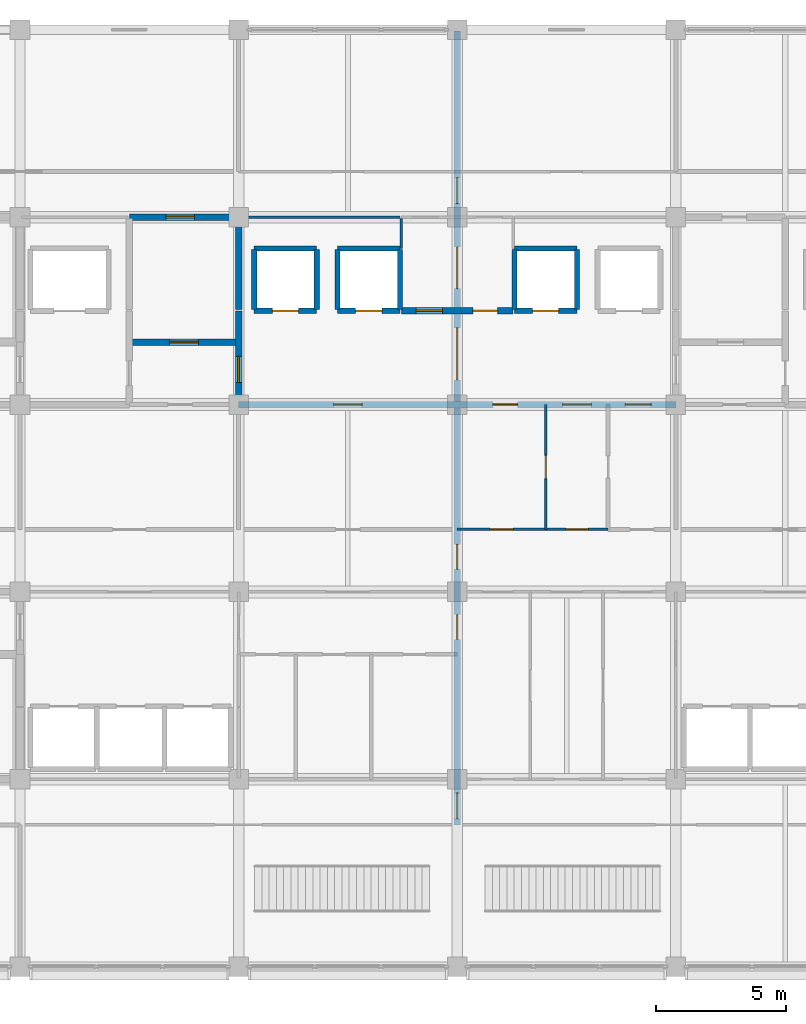
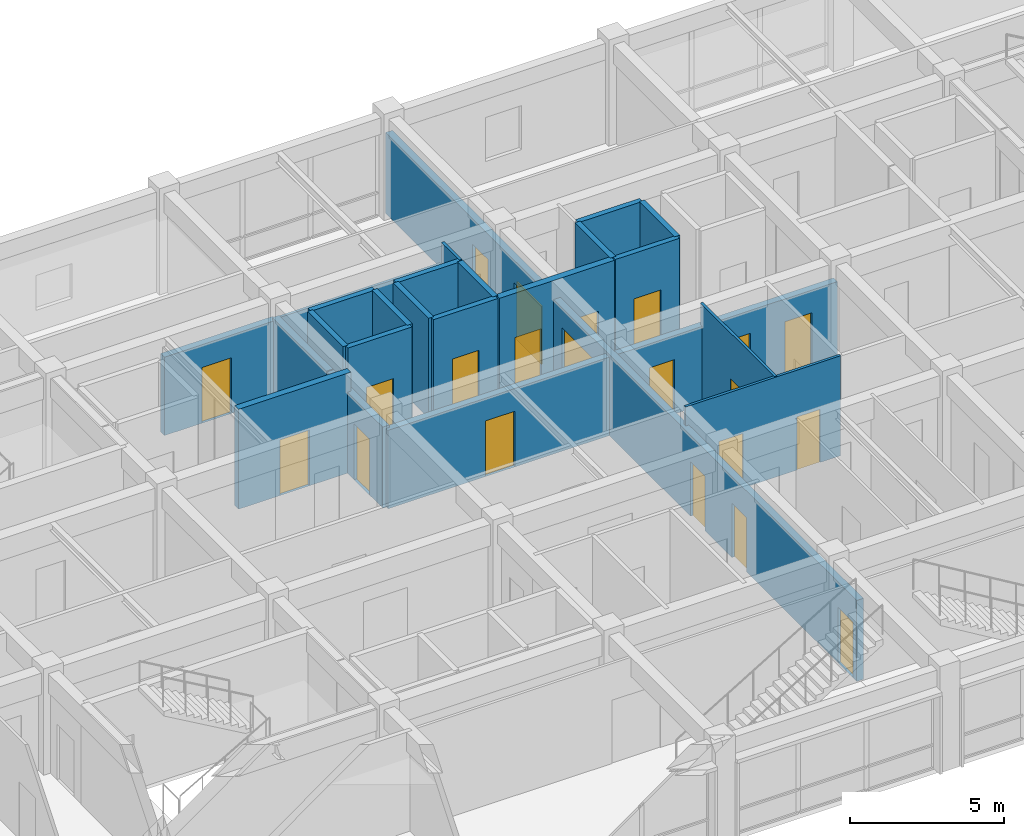
# One storey, part 18 of 27: 23 walls, 21 doors, 21 openings.
"""IFC4 building model written with IfcOpenShell, lengths in metres."""

from ifc_helpers import new_model, si_unit, direction, frame, frame_2d, origin, place, context, subcontext, project, spatial, rectangle, extrude, material, layer, layer_set, type_object, element, fill, save


model = new_model("IFC4")

# Units and contexts
model_context = context("Model", 3, precision=1e-05, world=origin(), true_north=direction((0.0, 1.0)))
body_context = subcontext(model_context, "Body", "Model", "MODEL_VIEW")
ifc_project = project(units=[si_unit("LENGTHUNIT", "METRE"), si_unit("AREAUNIT", "SQUARE_METRE"), si_unit("VOLUMEUNIT", "CUBIC_METRE"), si_unit("PLANEANGLEUNIT", "RADIAN"), si_unit("MASSUNIT", "GRAM", prefix="KILO")], contexts=[model_context])

# Site, building, storey
site_placement = place(None, origin())
site = spatial("IfcSite", under=ifc_project, at=site_placement, CompositionType="ELEMENT")
building_placement = place(site_placement, origin())
building = spatial("IfcBuilding", under=site, at=building_placement, Name="Chengyuan Square Courthouse", CompositionType="ELEMENT")
storey_placement = place(building_placement, frame((0.0, 0.0, 35.10009765625)))
storey = spatial("IfcBuildingStorey", under=building, at=storey_placement, Name="L08", CompositionType="ELEMENT", Elevation=35.10009765625)

# Wall, openings, doors
ifc_material_1 = material(Name="Concrete C40", Category="concrete")
ifc_layer_1 = layer(ifc_material_1, 0.25)
ifc_layer_set_1 = layer_set([ifc_layer_1], Name="Concrete C40")
wall_type_1 = type_object("IfcWallType", Name="WL-FW1", PredefinedType="STANDARD", material=ifc_layer_set_1)
wall_1_placement = place(storey_placement, frame((75.60009765625, 100.800048828125, 0.0), z_axis=(0.0, 0.0, 1.0), x_axis=(1.0, 0.0, 0.0)))
wall_1 = element("IfcWall", 1, at=wall_1_placement, inside=storey, type_object=wall_type_1, Name="Interior Wall WL-L08-I2922", PredefinedType="STANDARD", context=body_context, shape_type="SweptSolid", body=[
    extrude(rectangle(XDim=16.7998046875, YDim=0.25, at=frame_2d((8.39990234375, 0.0))), origin(), (0.0, 0.0, 1.0), 3.099853515625),
])
opening_1_placement = place(wall_1_placement, frame((3.64990234375, 0.0, 0.0)))
opening_1 = element("IfcOpeningElement", 2, at=opening_1_placement, cuts=wall_1, Name="Opening DR-2536", PredefinedType="OPENING", context=body_context, shape_type="SweptSolid", body=[
    extrude(rectangle(XDim=1.10009765625, YDim=2.199951171875, at=frame_2d((0.550048828125, 1.10009765625))), frame((0.0, 0.136962890625, 0.0), z_axis=(0.0, -1.0, 0.0), x_axis=(1.0, 0.0, 0.0)), (0.0, 0.0, 1.0), 0.27392578125),
])
opening_2_placement = place(wall_1_placement, frame((9.7724609375, 0.0, 0.0)))
opening_2 = element("IfcOpeningElement", 3, at=opening_2_placement, cuts=wall_1, Name="Opening DR-2538", PredefinedType="OPENING", context=body_context, shape_type="SweptSolid", body=[
    extrude(rectangle(XDim=0.949951171875, YDim=2.14990234375, at=frame_2d((0.47509765625, 1.074951171875))), frame((0.0, 0.136962890625, 0.0), z_axis=(0.0, -1.0, 0.0), x_axis=(1.0, 0.0, 0.0)), (0.0, 0.0, 1.0), 0.27392578125),
])
opening_3_placement = place(wall_1_placement, frame((12.449951171875, 0.0, 0.0)))
opening_3 = element("IfcOpeningElement", 4, at=opening_3_placement, cuts=wall_1, Name="Opening DR-2539", PredefinedType="OPENING", context=body_context, shape_type="SweptSolid", body=[
    extrude(rectangle(XDim=1.10009765625, YDim=2.199951171875, at=frame_2d((0.550048828125, 1.10009765625))), frame((0.0, 0.136962890625, 0.0), z_axis=(0.0, -1.0, 0.0), x_axis=(1.0, 0.0, 0.0)), (0.0, 0.0, 1.0), 0.27392578125),
])
opening_4_placement = place(wall_1_placement, frame((14.8525390625, 0.0, 0.0)))
opening_4 = element("IfcOpeningElement", 5, at=opening_4_placement, cuts=wall_1, Name="Opening DR-2540", PredefinedType="OPENING", context=body_context, shape_type="SweptSolid", body=[
    extrude(rectangle(XDim=1.0, YDim=2.199951171875, at=frame_2d((0.5, 1.10009765625))), frame((0.0, 0.136962890625, 0.0), z_axis=(0.0, -1.0, 0.0), x_axis=(1.0, 0.0, 0.0)), (0.0, 0.0, 1.0), 0.27392578125),
])
ifc_material_2 = material(Name="Steel Q235B Fire Door", Category="steel")
door_type_1 = type_object("IfcDoorType", Name="DT-10", OperationType="NOTDEFINED", PredefinedType="DOOR", material=ifc_material_2)
door_1_placement = place(opening_1_placement, origin())
door_1 = element("IfcDoor", 6, at=door_1_placement, inside=storey, type_object=door_type_1, Name="Interior Door DR-2536", OperationType="SINGLE_SWING_LEFT", OverallHeight=2.199951171875, OverallWidth=1.10009765625, PredefinedType="DOOR", context=body_context, shape_type="SweptSolid", body=[
    extrude(rectangle(XDim=1.10009765625, YDim=2.199951171875, at=frame_2d((0.550048828125, 1.10009765625))), frame((0.0, 0.02490234375, 0.0), z_axis=(0.0, -1.0, 0.0), x_axis=(1.0, 0.0, 0.0)), (0.0, 0.0, 1.0), 0.050048828125),
])
fill(opening_1, door_1)
door_2_placement = place(opening_3_placement, origin())
door_2 = element("IfcDoor", 7, at=door_2_placement, inside=storey, type_object=door_type_1, Name="Interior Door DR-2539", OperationType="SINGLE_SWING_RIGHT", OverallHeight=2.199951171875, OverallWidth=1.10009765625, PredefinedType="DOOR", context=body_context, shape_type="SweptSolid", body=[
    extrude(rectangle(XDim=1.10009765625, YDim=2.199951171875, at=frame_2d((0.550048828125, 1.10009765625))), frame((0.0, 0.02490234375, 0.0), z_axis=(0.0, -1.0, 0.0), x_axis=(1.0, 0.0, 0.0)), (0.0, 0.0, 1.0), 0.050048828125),
])
fill(opening_3, door_2)
door_type_2 = type_object("IfcDoorType", Name="DT-11", OperationType="NOTDEFINED", PredefinedType="DOOR", material=ifc_material_2)
door_3_placement = place(opening_4_placement, origin())
door_3 = element("IfcDoor", 8, at=door_3_placement, inside=storey, type_object=door_type_2, Name="Interior Door DR-2540", OperationType="SINGLE_SWING_LEFT", OverallHeight=2.199951171875, OverallWidth=1.0, PredefinedType="DOOR", context=body_context, shape_type="SweptSolid", body=[
    extrude(rectangle(XDim=1.0, YDim=2.199951171875, at=frame_2d((0.5, 1.10009765625))), frame((0.0, 0.02490234375, 0.0), z_axis=(0.0, -1.0, 0.0), x_axis=(1.0, 0.0, 0.0)), (0.0, 0.0, 1.0), 0.050048828125),
])
fill(opening_4, door_3)
door_type_3 = type_object("IfcDoorType", Name="DT-12", OperationType="NOTDEFINED", PredefinedType="DOOR", material=ifc_material_2)
door_4_placement = place(opening_2_placement, origin())
door_4 = element("IfcDoor", 9, at=door_4_placement, inside=storey, type_object=door_type_3, Name="Interior Door DR-2538", OperationType="SINGLE_SWING_LEFT", OverallHeight=2.14990234375, OverallWidth=0.949951171875, PredefinedType="DOOR", context=body_context, shape_type="SweptSolid", body=[
    extrude(rectangle(XDim=0.949951171875, YDim=2.14990234375, at=frame_2d((0.47509765625, 1.074951171875))), frame((0.0, 0.02490234375, 0.0), z_axis=(0.0, -1.0, 0.0), x_axis=(1.0, 0.0, 0.0)), (0.0, 0.0, 1.0), 0.050048828125),
])
fill(opening_2, door_4)

# Wall, opening, door
wall_2_placement = place(storey_placement, frame((71.39990234375, 103.199951171875, 0.0), z_axis=(0.0, 0.0, 1.0), x_axis=(1.0, 0.0, 0.0)))
wall_2 = element("IfcWall", 10, at=wall_2_placement, inside=storey, type_object=wall_type_1, Name="Interior Wall WL-L08-I2932", PredefinedType="STANDARD", context=body_context, shape_type="SweptSolid", body=[
    extrude(rectangle(XDim=4.2001953125, YDim=0.25, at=frame_2d((2.10009765625, 0.0))), origin(), (0.0, 0.0, 1.0), 3.949951171875),
])
opening_5_placement = place(wall_2_placement, frame((1.550048828125, 0.0, 0.0)))
opening_5 = element("IfcOpeningElement", 11, at=opening_5_placement, cuts=wall_2, Name="Opening DR-2518", PredefinedType="OPENING", context=body_context, shape_type="SweptSolid", body=[
    extrude(rectangle(XDim=1.10009765625, YDim=2.199951171875, at=frame_2d((0.550048828125, 1.10009765625))), frame((0.0, 0.136962890625, 0.0), z_axis=(0.0, -1.0, 0.0), x_axis=(1.0, 0.0, 0.0)), (0.0, 0.0, 1.0), 0.27392578125),
])
door_5_placement = place(opening_5_placement, origin())
door_5 = element("IfcDoor", 12, at=door_5_placement, inside=storey, type_object=door_type_1, Name="Interior Door DR-2518", OperationType="SINGLE_SWING_RIGHT", OverallHeight=2.199951171875, OverallWidth=1.10009765625, PredefinedType="DOOR", context=body_context, shape_type="SweptSolid", body=[
    extrude(rectangle(XDim=1.10009765625, YDim=2.199951171875, at=frame_2d((0.550048828125, 1.10009765625))), frame((0.0, 0.02490234375, 0.0), z_axis=(0.0, -1.0, 0.0), x_axis=(1.0, 0.0, 0.0)), (0.0, 0.0, 1.0), 0.050048828125),
])
fill(opening_5, door_5)

# Wall, openings, doors
wall_3_placement = place(storey_placement, frame((81.85009765625, 104.39990234375, 0.0), z_axis=(0.0, 0.0, 1.0), x_axis=(1.0, 0.0, 0.0)))
wall_3 = element("IfcWall", 13, at=wall_3_placement, inside=storey, type_object=wall_type_1, Name="Interior Wall WL-L08-I2943", PredefinedType="STANDARD", context=body_context, shape_type="SweptSolid", body=[
    extrude(rectangle(XDim=4.2998046875, YDim=0.25, at=frame_2d((2.14990234375, 0.0))), origin(), (0.0, 0.0, 1.0), 3.949951171875),
])
opening_6_placement = place(wall_3_placement, frame((0.574951171875, 0.0, 0.0)))
opening_6 = element("IfcOpeningElement", 14, at=opening_6_placement, cuts=wall_3, Name="Opening DR-2537", PredefinedType="OPENING", context=body_context, shape_type="SweptSolid", body=[
    extrude(rectangle(XDim=1.0, YDim=2.199951171875, at=frame_2d((0.5, 1.10009765625))), frame((0.0, 0.136962890625, 0.0), z_axis=(0.0, -1.0, 0.0), x_axis=(1.0, 0.0, 0.0)), (0.0, 0.0, 1.0), 0.27392578125),
])
opening_7_placement = place(wall_3_placement, frame((2.75, 0.0, 0.0)))
opening_7 = element("IfcOpeningElement", 15, at=opening_7_placement, cuts=wall_3, Name="Opening DR-2541", PredefinedType="OPENING", context=body_context, shape_type="SweptSolid", body=[
    extrude(rectangle(XDim=0.949951171875, YDim=2.14990234375, at=frame_2d((0.47509765625, 1.074951171875))), frame((0.0, 0.136962890625, 0.0), z_axis=(0.0, -1.0, 0.0), x_axis=(1.0, 0.0, 0.0)), (0.0, 0.0, 1.0), 0.27392578125),
])
door_6_placement = place(opening_6_placement, origin())
door_6 = element("IfcDoor", 16, at=door_6_placement, inside=storey, type_object=door_type_2, Name="Interior Door DR-2537", OperationType="SINGLE_SWING_RIGHT", OverallHeight=2.199951171875, OverallWidth=1.0, PredefinedType="DOOR", context=body_context, shape_type="SweptSolid", body=[
    extrude(rectangle(XDim=1.0, YDim=2.199951171875, at=frame_2d((0.5, 1.10009765625))), frame((0.0, 0.02490234375, 0.0), z_axis=(0.0, -1.0, 0.0), x_axis=(1.0, 0.0, 0.0)), (0.0, 0.0, 1.0), 0.050048828125),
])
fill(opening_6, door_6)
door_7_placement = place(opening_7_placement, origin())
door_7 = element("IfcDoor", 17, at=door_7_placement, inside=storey, type_object=door_type_3, Name="Interior Door DR-2541", OperationType="SINGLE_SWING_RIGHT", OverallHeight=2.14990234375, OverallWidth=0.949951171875, PredefinedType="DOOR", context=body_context, shape_type="SweptSolid", body=[
    extrude(rectangle(XDim=0.949951171875, YDim=2.14990234375, at=frame_2d((0.47509765625, 1.074951171875))), frame((0.0, 0.02490234375, 0.0), z_axis=(0.0, -1.0, 0.0), x_axis=(1.0, 0.0, 0.0)), (0.0, 0.0, 1.0), 0.050048828125),
])
fill(opening_7, door_7)

# Wall, opening, door
wall_4_placement = place(storey_placement, frame((71.39990234375, 108.0, 0.0), z_axis=(0.0, 0.0, 1.0), x_axis=(1.0, 0.0, 0.0)))
wall_4 = element("IfcWall", 18, at=wall_4_placement, inside=storey, type_object=wall_type_1, Name="Interior Wall WL-L08-I2964", PredefinedType="STANDARD", context=body_context, shape_type="SweptSolid", body=[
    extrude(rectangle(XDim=4.2001953125, YDim=0.25, at=frame_2d((2.10009765625, 0.0))), origin(), (0.0, 0.0, 1.0), 3.099853515625),
])
opening_8_placement = place(wall_4_placement, frame((1.402587890625, 0.0, 0.0)))
opening_8 = element("IfcOpeningElement", 19, at=opening_8_placement, cuts=wall_4, Name="Opening DR-2521", PredefinedType="OPENING", context=body_context, shape_type="SweptSolid", body=[
    extrude(rectangle(XDim=1.10009765625, YDim=2.199951171875, at=frame_2d((0.550048828125, 1.10009765625))), frame((0.0, 0.136962890625, 0.0), z_axis=(0.0, -1.0, 0.0), x_axis=(1.0, 0.0, 0.0)), (0.0, 0.0, 1.0), 0.27392578125),
])
door_8_placement = place(opening_8_placement, origin())
door_8 = element("IfcDoor", 20, at=door_8_placement, inside=storey, type_object=door_type_1, Name="Interior Door DR-2521", OperationType="SINGLE_SWING_LEFT", OverallHeight=2.199951171875, OverallWidth=1.10009765625, PredefinedType="DOOR", context=body_context, shape_type="SweptSolid", body=[
    extrude(rectangle(XDim=1.10009765625, YDim=2.199951171875, at=frame_2d((0.550048828125, 1.10009765625))), frame((0.0, 0.02490234375, 0.0), z_axis=(0.0, -1.0, 0.0), x_axis=(1.0, 0.0, 0.0)), (0.0, 0.0, 1.0), 0.050048828125),
])
fill(opening_8, door_8)

wall_5_placement = place(storey_placement, frame((75.60009765625, 100.800048828125, 0.0), z_axis=(0.0, 0.0, 1.0), x_axis=(0.0, 1.0, 0.0)))
wall_5 = element("IfcWall", 21, at=wall_5_placement, inside=storey, type_object=wall_type_1, Name="Interior Wall WL-L08-I3020", PredefinedType="STANDARD", context=body_context, shape_type="SweptSolid", body=[
    extrude(rectangle(XDim=3.599853515625, YDim=0.25, at=frame_2d((1.7998046875, 0.0))), origin(), (0.0, 0.0, 1.0), 3.199951171875),
])
opening_9_placement = place(wall_5_placement, frame((0.847412109375, 0.0, 0.0)))
opening_9 = element("IfcOpeningElement", 22, at=opening_9_placement, cuts=wall_5, Name="Opening DR-2519", PredefinedType="OPENING", context=body_context, shape_type="SweptSolid", body=[
    extrude(rectangle(XDim=1.0, YDim=2.199951171875, at=frame_2d((0.5, 1.10009765625))), frame((0.0, 0.136962890625, 0.0), z_axis=(0.0, -1.0, 0.0), x_axis=(1.0, 0.0, 0.0)), (0.0, 0.0, 1.0), 0.27392578125),
])
door_9_placement = place(opening_9_placement, origin())
door_9 = element("IfcDoor", 23, at=door_9_placement, inside=storey, type_object=door_type_2, Name="Interior Door DR-2519", OperationType="SINGLE_SWING_LEFT", OverallHeight=2.199951171875, OverallWidth=1.0, PredefinedType="DOOR", context=body_context, shape_type="SweptSolid", body=[
    extrude(rectangle(XDim=1.0, YDim=2.199951171875, at=frame_2d((0.5, 1.10009765625))), frame((0.0, 0.02490234375, 0.0), z_axis=(0.0, -1.0, 0.0), x_axis=(1.0, 0.0, 0.0)), (0.0, 0.0, 1.0), 0.050048828125),
])
fill(opening_9, door_9)

# Wall
wall_6_placement = place(storey_placement, frame((75.60009765625, 104.449951171875, 0.0), z_axis=(0.0, 0.0, 1.0), x_axis=(0.0, 1.0, 0.0)))
element("IfcWall", 24, at=wall_6_placement, inside=storey, type_object=wall_type_1, Name="Interior Wall WL-L08-I3021", PredefinedType="STANDARD", context=body_context, shape_type="SweptSolid", body=[
    extrude(rectangle(XDim=3.5, YDim=0.25, at=frame_2d((1.75, 0.0))), origin(), (0.0, 0.0, 1.0), 3.199951171875),
])

# Wall, openings, doors
wall_7_placement = place(storey_placement, frame((84.0, 84.64990234375, 0.0), z_axis=(0.0, 0.0, 1.0), x_axis=(0.0, 1.0, 0.0)))
wall_7 = element("IfcWall", 25, at=wall_7_placement, inside=storey, type_object=wall_type_1, Name="Interior Wall WL-L08-I3030", PredefinedType="STANDARD", context=body_context, shape_type="SweptSolid", body=[
    extrude(rectangle(XDim=30.510009765625, YDim=0.25, at=frame_2d((15.2548828125, 0.0))), origin(), (0.0, 0.0, 1.0), 3.199951171875),
])
opening_10_placement = place(wall_7_placement, frame((17.097412109375, 0.0, 0.0)))
opening_10 = element("IfcOpeningElement", 26, at=opening_10_placement, cuts=wall_7, Name="Opening DR-2535", PredefinedType="OPENING", context=body_context, shape_type="SweptSolid", body=[
    extrude(rectangle(XDim=2.0, YDim=2.39990234375, at=frame_2d((1.0, 1.199951171875))), frame((0.0, 0.136962890625, 0.0), z_axis=(0.0, -1.0, 0.0), x_axis=(1.0, 0.0, 0.0)), (0.0, 0.0, 1.0), 0.27392578125),
])
opening_11_placement = place(wall_7_placement, frame((7.12744140625, 0.0, 0.0)))
opening_11 = element("IfcOpeningElement", 27, at=opening_11_placement, cuts=wall_7, Name="Opening DR-2562", PredefinedType="OPENING", context=body_context, shape_type="SweptSolid", body=[
    extrude(rectangle(XDim=0.949951171875, YDim=2.14990234375, at=frame_2d((0.47509765625, 1.074951171875))), frame((0.0, 0.136962890625, 0.0), z_axis=(0.0, -1.0, 0.0), x_axis=(1.0, 0.0, 0.0)), (0.0, 0.0, 1.0), 0.27392578125),
])
opening_12_placement = place(wall_7_placement, frame((9.822509765625, 0.0, 0.0)))
opening_12 = element("IfcOpeningElement", 28, at=opening_12_placement, cuts=wall_7, Name="Opening DR-2565", PredefinedType="OPENING", context=body_context, shape_type="SweptSolid", body=[
    extrude(rectangle(XDim=0.949951171875, YDim=2.14990234375, at=frame_2d((0.47509765625, 1.074951171875))), frame((0.0, 0.136962890625, 0.0), z_axis=(0.0, -1.0, 0.0), x_axis=(1.0, 0.0, 0.0)), (0.0, 0.0, 1.0), 0.27392578125),
])
opening_13_placement = place(wall_7_placement, frame((20.6025390625, 0.0, 0.0)))
opening_13 = element("IfcOpeningElement", 29, at=opening_13_placement, cuts=wall_7, Name="Opening DR-2612", PredefinedType="OPENING", context=body_context, shape_type="SweptSolid", body=[
    extrude(rectangle(XDim=1.60009765625, YDim=2.300048828125, at=frame_2d((0.800048828125, 1.14990234375))), frame((0.0, 0.136962890625, 0.0), z_axis=(0.0, -1.0, 0.0), x_axis=(1.0, 0.0, 0.0)), (0.0, 0.0, 1.0), 0.27392578125),
])
opening_14_placement = place(wall_7_placement, frame((23.87255859375, 0.0, 0.0)))
opening_14 = element("IfcOpeningElement", 30, at=opening_14_placement, cuts=wall_7, Name="Opening DR-2615", PredefinedType="OPENING", context=body_context, shape_type="SweptSolid", body=[
    extrude(rectangle(XDim=1.0, YDim=2.199951171875, at=frame_2d((0.5, 1.10009765625))), frame((0.0, 0.136962890625, 0.0), z_axis=(0.0, -1.0, 0.0), x_axis=(1.0, 0.0, 0.0)), (0.0, 0.0, 1.0), 0.27392578125),
])
opening_15_placement = place(wall_7_placement, frame((0.2275390625, 0.0, 0.0)))
opening_15 = element("IfcOpeningElement", 31, at=opening_15_placement, cuts=wall_7, Name="Opening DR-2624", PredefinedType="OPENING", context=body_context, shape_type="SweptSolid", body=[
    extrude(rectangle(XDim=1.0, YDim=2.199951171875, at=frame_2d((0.5, 1.10009765625))), frame((0.0, 0.136962890625, 0.0), z_axis=(0.0, -1.0, 0.0), x_axis=(1.0, 0.0, 0.0)), (0.0, 0.0, 1.0), 0.27392578125),
])
door_10_placement = place(opening_14_placement, origin())
door_10 = element("IfcDoor", 32, at=door_10_placement, inside=storey, type_object=door_type_2, Name="Interior Door DR-2615", OperationType="SINGLE_SWING_RIGHT", OverallHeight=2.199951171875, OverallWidth=1.0, PredefinedType="DOOR", context=body_context, shape_type="SweptSolid", body=[
    extrude(rectangle(XDim=1.0, YDim=2.199951171875, at=frame_2d((0.5, 1.10009765625))), frame((0.0, 0.02490234375, 0.0), z_axis=(0.0, -1.0, 0.0), x_axis=(1.0, 0.0, 0.0)), (0.0, 0.0, 1.0), 0.050048828125),
])
fill(opening_14, door_10)
door_11_placement = place(opening_15_placement, origin())
door_11 = element("IfcDoor", 33, at=door_11_placement, inside=storey, type_object=door_type_2, Name="Interior Door DR-2624", OperationType="SINGLE_SWING_RIGHT", OverallHeight=2.199951171875, OverallWidth=1.0, PredefinedType="DOOR", context=body_context, shape_type="SweptSolid", body=[
    extrude(rectangle(XDim=1.0, YDim=2.199951171875, at=frame_2d((0.5, 1.10009765625))), frame((0.0, 0.02490234375, 0.0), z_axis=(0.0, -1.0, 0.0), x_axis=(1.0, 0.0, 0.0)), (0.0, 0.0, 1.0), 0.050048828125),
])
fill(opening_15, door_11)
door_12_placement = place(opening_11_placement, origin())
door_12 = element("IfcDoor", 34, at=door_12_placement, inside=storey, type_object=door_type_3, Name="Interior Door DR-2562", OperationType="SINGLE_SWING_RIGHT", OverallHeight=2.14990234375, OverallWidth=0.949951171875, PredefinedType="DOOR", context=body_context, shape_type="SweptSolid", body=[
    extrude(rectangle(XDim=0.949951171875, YDim=2.14990234375, at=frame_2d((0.47509765625, 1.074951171875))), frame((0.0, 0.02490234375, 0.0), z_axis=(0.0, -1.0, 0.0), x_axis=(1.0, 0.0, 0.0)), (0.0, 0.0, 1.0), 0.050048828125),
])
fill(opening_11, door_12)
door_13_placement = place(opening_12_placement, origin())
door_13 = element("IfcDoor", 35, at=door_13_placement, inside=storey, type_object=door_type_3, Name="Interior Door DR-2565", OperationType="SINGLE_SWING_LEFT", OverallHeight=2.14990234375, OverallWidth=0.949951171875, PredefinedType="DOOR", context=body_context, shape_type="SweptSolid", body=[
    extrude(rectangle(XDim=0.949951171875, YDim=2.14990234375, at=frame_2d((0.47509765625, 1.074951171875))), frame((0.0, 0.02490234375, 0.0), z_axis=(0.0, -1.0, 0.0), x_axis=(1.0, 0.0, 0.0)), (0.0, 0.0, 1.0), 0.050048828125),
])
fill(opening_12, door_13)
ifc_material_3 = material(Name="Steel Q235B Glazed Fire Door", Category="steel")
door_type_4 = type_object("IfcDoorType", Name="DT-17", OperationType="DOUBLE_DOOR_SINGLE_SWING", PredefinedType="DOOR", material=ifc_material_3)
door_14_placement = place(opening_13_placement, frame((1.60009765625, 0.0, 0.0), z_axis=(0.0, 0.0, 1.0), x_axis=(-1.0, 0.0, 0.0)))
door_14 = element("IfcDoor", 36, at=door_14_placement, inside=storey, type_object=door_type_4, Name="Interior Door DR-2612", OperationType="DOUBLE_DOOR_SINGLE_SWING", OverallHeight=2.300048828125, OverallWidth=1.60009765625, PredefinedType="DOOR", context=body_context, shape_type="SweptSolid", body=[
    extrude(rectangle(XDim=1.60009765625, YDim=2.300048828125, at=frame_2d((0.800048828125, 1.14990234375))), frame((0.0, 0.02490234375, 0.0), z_axis=(0.0, -1.0, 0.0), x_axis=(1.0, 0.0, 0.0)), (0.0, 0.0, 1.0), 0.050048828125),
])
fill(opening_13, door_14)
door_type_5 = type_object("IfcDoorType", Name="DT-20", OperationType="DOUBLE_DOOR_SINGLE_SWING", PredefinedType="DOOR", material=ifc_material_3)
door_15_placement = place(opening_10_placement, frame((2.0, 0.0, 0.0), z_axis=(0.0, 0.0, 1.0), x_axis=(-1.0, 0.0, 0.0)))
door_15 = element("IfcDoor", 37, at=door_15_placement, inside=storey, type_object=door_type_5, Name="Interior Door DR-2535", OperationType="DOUBLE_DOOR_SINGLE_SWING", OverallHeight=2.39990234375, OverallWidth=2.0, PredefinedType="DOOR", context=body_context, shape_type="SweptSolid", body=[
    extrude(rectangle(XDim=2.0, YDim=2.39990234375, at=frame_2d((1.0, 1.199951171875))), frame((0.0, 0.02490234375, 0.0), z_axis=(0.0, -1.0, 0.0), x_axis=(1.0, 0.0, 0.0)), (0.0, 0.0, 1.0), 0.050048828125),
])
fill(opening_10, door_15)

ifc_material_4 = material(Name="Gypsum Plasterboard Acoustic Stud Partition")
ifc_layer_2 = layer(ifc_material_4, 0.10009765625)
ifc_layer_set_2 = layer_set([ifc_layer_2], Name="Gypsum Plasterboard Acoustic Stud Partition")
wall_type_2 = type_object("IfcWallType", Name="WL-PT6", PredefinedType="STANDARD", material=ifc_layer_set_2)
wall_8_placement = place(storey_placement, frame((84.0, 96.0, 0.0), z_axis=(0.0, 0.0, 1.0), x_axis=(1.0, 0.0, 0.0)))
wall_8 = element("IfcWall", 38, at=wall_8_placement, inside=storey, type_object=wall_type_2, Name="Interior Wall WL-L08-I2911", PredefinedType="STANDARD", context=body_context, shape_type="SweptSolid", body=[
    extrude(rectangle(XDim=5.800048828125, YDim=0.10009765625, at=frame_2d((2.89990234375, 0.0))), origin(), (0.0, 0.0, 1.0), 3.949951171875),
])
opening_16_placement = place(wall_8_placement, frame((1.25, 0.0, 0.0)))
opening_16 = element("IfcOpeningElement", 39, at=opening_16_placement, cuts=wall_8, Name="Opening DR-2576", PredefinedType="OPENING", context=body_context, shape_type="SweptSolid", body=[
    extrude(rectangle(XDim=0.89990234375, YDim=2.14990234375, at=frame_2d((0.449951171875, 1.074951171875))), frame((0.0, 0.06201171875, 0.0), z_axis=(0.0, -1.0, 0.0), x_axis=(1.0, 0.0, 0.0)), (0.0, 0.0, 1.0), 0.1240234375),
])
opening_17_placement = place(wall_8_placement, frame((4.169921875, 0.0, 0.0)))
opening_17 = element("IfcOpeningElement", 40, at=opening_17_placement, cuts=wall_8, Name="Opening DR-2577", PredefinedType="OPENING", context=body_context, shape_type="SweptSolid", body=[
    extrude(rectangle(XDim=0.860107421875, YDim=2.10009765625, at=frame_2d((0.43017578125, 1.050048828125))), frame((0.0, 0.06201171875, 0.0), z_axis=(0.0, -1.0, 0.0), x_axis=(1.0, 0.0, 0.0)), (0.0, 0.0, 1.0), 0.1240234375),
])
ifc_material_5 = material(Name="Acoustic Solid-Core Timber Door", Category="wood")
door_type_6 = type_object("IfcDoorType", Name="DT-27", OperationType="NOTDEFINED", PredefinedType="DOOR", material=ifc_material_5)
door_16_placement = place(opening_16_placement, origin())
door_16 = element("IfcDoor", 41, at=door_16_placement, inside=storey, type_object=door_type_6, Name="Interior Door DR-2576", OperationType="SINGLE_SWING_RIGHT", OverallHeight=2.14990234375, OverallWidth=0.89990234375, PredefinedType="DOOR", context=body_context, shape_type="SweptSolid", body=[
    extrude(rectangle(XDim=0.89990234375, YDim=2.14990234375, at=frame_2d((0.449951171875, 1.074951171875))), frame((0.0, 0.02490234375, 0.0), z_axis=(0.0, -1.0, 0.0), x_axis=(1.0, 0.0, 0.0)), (0.0, 0.0, 1.0), 0.050048828125),
])
fill(opening_16, door_16)
door_type_7 = type_object("IfcDoorType", Name="DT-28", OperationType="NOTDEFINED", PredefinedType="DOOR", material=ifc_material_5)
door_17_placement = place(opening_17_placement, origin())
door_17 = element("IfcDoor", 42, at=door_17_placement, inside=storey, type_object=door_type_7, Name="Interior Door DR-2577", OperationType="SINGLE_SWING_LEFT", OverallHeight=2.10009765625, OverallWidth=0.860107421875, PredefinedType="DOOR", context=body_context, shape_type="SweptSolid", body=[
    extrude(rectangle(XDim=0.860107421875, YDim=2.10009765625, at=frame_2d((0.43017578125, 1.050048828125))), frame((0.0, 0.02490234375, 0.0), z_axis=(0.0, -1.0, 0.0), x_axis=(1.0, 0.0, 0.0)), (0.0, 0.0, 1.0), 0.050048828125),
])
fill(opening_17, door_17)

# Walls
wall_9_placement = place(storey_placement, frame((75.64990234375, 108.0, 0.0), z_axis=(0.0, 0.0, 1.0), x_axis=(1.0, 0.0, 0.0)))
element("IfcWall", 43, at=wall_9_placement, inside=storey, type_object=wall_type_2, Name="Interior Wall WL-L08-I2965", PredefinedType="STANDARD", context=body_context, shape_type="SweptSolid", body=[
    extrude(rectangle(XDim=6.150146484375, YDim=0.10009765625, at=frame_2d((3.0751953125, 0.0))), origin(), (0.0, 0.0, 1.0), 3.099853515625),
])
wall_10_placement = place(storey_placement, frame((81.85009765625, 106.800048828125, 0.0), z_axis=(0.0, 0.0, 1.0), x_axis=(0.0, 1.0, 0.0)))
element("IfcWall", 44, at=wall_10_placement, inside=storey, type_object=wall_type_2, Name="Interior Wall WL-L08-I3029", PredefinedType="STANDARD", context=body_context, shape_type="SweptSolid", body=[
    extrude(rectangle(XDim=1.14990234375, YDim=0.10009765625, at=frame_2d((0.574951171875, 0.0))), origin(), (0.0, 0.0, 1.0), 3.949951171875),
])

# Wall, opening, door
wall_11_placement = place(storey_placement, frame((87.39990234375, 96.0, 0.0), z_axis=(0.0, 0.0, 1.0), x_axis=(0.0, 1.0, 0.0)))
wall_11 = element("IfcWall", 45, at=wall_11_placement, inside=storey, type_object=wall_type_2, Name="Interior Wall WL-L08-I3034", PredefinedType="STANDARD", context=body_context, shape_type="SweptSolid", body=[
    extrude(rectangle(XDim=4.800048828125, YDim=0.10009765625, at=frame_2d((2.39990234375, 0.0))), origin(), (0.0, 0.0, 1.0), 3.949951171875),
])
opening_18_placement = place(wall_11_placement, frame((1.949951171875, 0.0, 0.0)))
opening_18 = element("IfcOpeningElement", 46, at=opening_18_placement, cuts=wall_11, Name="Opening DR-2593", PredefinedType="OPENING", context=body_context, shape_type="SweptSolid", body=[
    extrude(rectangle(XDim=0.89990234375, YDim=2.14990234375, at=frame_2d((0.449951171875, 1.074951171875))), frame((0.0, 0.06201171875, 0.0), z_axis=(0.0, -1.0, 0.0), x_axis=(1.0, 0.0, 0.0)), (0.0, 0.0, 1.0), 0.1240234375),
])
door_18_placement = place(opening_18_placement, origin())
door_18 = element("IfcDoor", 47, at=door_18_placement, inside=storey, type_object=door_type_6, Name="Interior Door DR-2593", OperationType="SINGLE_SWING_LEFT", OverallHeight=2.14990234375, OverallWidth=0.89990234375, PredefinedType="DOOR", context=body_context, shape_type="SweptSolid", body=[
    extrude(rectangle(XDim=0.89990234375, YDim=2.14990234375, at=frame_2d((0.449951171875, 1.074951171875))), frame((0.0, 0.02490234375, 0.0), z_axis=(0.0, -1.0, 0.0), x_axis=(1.0, 0.0, 0.0)), (0.0, 0.0, 1.0), 0.050048828125),
])
fill(opening_18, door_18)

ifc_material_6 = material(Name="Reinforced Masonry Shaft Enclosure", Category="masonry")
ifc_layer_3 = layer(ifc_material_6, 0.199951171875)
ifc_layer_set_3 = layer_set([ifc_layer_3], Name="Reinforced Masonry Shaft Enclosure")
wall_type_3 = type_object("IfcWallType", Name="WL-SH1", PredefinedType="STANDARD", material=ifc_layer_set_3)
wall_12_placement = place(storey_placement, frame((76.199951171875, 104.39990234375, 0.0), z_axis=(0.0, 0.0, 1.0), x_axis=(1.0, 0.0, 0.0)))
wall_12 = element("IfcWall", 48, at=wall_12_placement, inside=storey, type_object=wall_type_3, Name="Interior Wall WL-L08-I2941", PredefinedType="STANDARD", context=body_context, shape_type="SweptSolid", body=[
    extrude(rectangle(XDim=2.400146484375, YDim=0.199951171875, at=frame_2d((1.2001953125, 0.0))), origin(), (0.0, 0.0, 1.0), 3.949951171875),
])
opening_19_placement = place(wall_12_placement, frame((0.699951171875, 0.0, 0.0)))
opening_19 = element("IfcOpeningElement", 49, at=opening_19_placement, cuts=wall_12, Name="Opening LD-137", PredefinedType="OPENING", context=body_context, shape_type="SweptSolid", body=[
    extrude(rectangle(XDim=1.0, YDim=2.14990234375, at=frame_2d((0.5, 1.074951171875))), frame((0.0, 0.112060546875, 0.0), z_axis=(0.0, -1.0, 0.0), x_axis=(1.0, 0.0, 0.0)), (0.0, 0.0, 1.0), 0.223876953125),
])
ifc_material_7 = material(Name="Stainless Steel S30408 Lift Landing Door", Category="steel")
door_type_8 = type_object("IfcDoorType", Name="DT-07", OperationType="DOUBLE_DOOR_SLIDING", PredefinedType="DOOR", material=ifc_material_7)
door_19_placement = place(opening_19_placement, origin())
door_19 = element("IfcDoor", 50, at=door_19_placement, inside=storey, type_object=door_type_8, Name="Lift Landing Door LF-J1 L08", OperationType="DOUBLE_DOOR_SLIDING", OverallHeight=2.14990234375, OverallWidth=1.0, PredefinedType="DOOR", context=body_context, shape_type="SweptSolid", body=[
    extrude(rectangle(XDim=1.0, YDim=2.14990234375, at=frame_2d((0.5, 1.074951171875))), frame((0.0, 0.02490234375, 0.0), z_axis=(0.0, -1.0, 0.0), x_axis=(1.0, 0.0, 0.0)), (0.0, 0.0, 1.0), 0.050048828125),
])
fill(opening_19, door_19)

wall_13_placement = place(storey_placement, frame((79.39990234375, 104.39990234375, 0.0), z_axis=(0.0, 0.0, 1.0), x_axis=(1.0, 0.0, 0.0)))
wall_13 = element("IfcWall", 51, at=wall_13_placement, inside=storey, type_object=wall_type_3, Name="Interior Wall WL-L08-I2942", PredefinedType="STANDARD", context=body_context, shape_type="SweptSolid", body=[
    extrude(rectangle(XDim=2.400146484375, YDim=0.199951171875, at=frame_2d((1.2001953125, 0.0))), origin(), (0.0, 0.0, 1.0), 3.949951171875),
])
opening_20_placement = place(wall_13_placement, frame((0.699951171875, 0.0, 0.0)))
opening_20 = element("IfcOpeningElement", 52, at=opening_20_placement, cuts=wall_13, Name="Opening LD-138", PredefinedType="OPENING", context=body_context, shape_type="SweptSolid", body=[
    extrude(rectangle(XDim=1.0, YDim=2.14990234375, at=frame_2d((0.5, 1.074951171875))), frame((0.0, 0.112060546875, 0.0), z_axis=(0.0, -1.0, 0.0), x_axis=(1.0, 0.0, 0.0)), (0.0, 0.0, 1.0), 0.223876953125),
])
door_20_placement = place(opening_20_placement, origin())
door_20 = element("IfcDoor", 53, at=door_20_placement, inside=storey, type_object=door_type_8, Name="Lift Landing Door LF-J2 L08", OperationType="DOUBLE_DOOR_SLIDING", OverallHeight=2.14990234375, OverallWidth=1.0, PredefinedType="DOOR", context=body_context, shape_type="SweptSolid", body=[
    extrude(rectangle(XDim=1.0, YDim=2.14990234375, at=frame_2d((0.5, 1.074951171875))), frame((0.0, 0.02490234375, 0.0), z_axis=(0.0, -1.0, 0.0), x_axis=(1.0, 0.0, 0.0)), (0.0, 0.0, 1.0), 0.050048828125),
])
fill(opening_20, door_20)

wall_14_placement = place(storey_placement, frame((86.199951171875, 104.39990234375, 0.0), z_axis=(0.0, 0.0, 1.0), x_axis=(1.0, 0.0, 0.0)))
wall_14 = element("IfcWall", 54, at=wall_14_placement, inside=storey, type_object=wall_type_3, Name="Interior Wall WL-L08-I2944", PredefinedType="STANDARD", context=body_context, shape_type="SweptSolid", body=[
    extrude(rectangle(XDim=2.400146484375, YDim=0.199951171875, at=frame_2d((1.2001953125, 0.0))), origin(), (0.0, 0.0, 1.0), 3.949951171875),
])
opening_21_placement = place(wall_14_placement, frame((0.699951171875, 0.0, 0.0)))
opening_21 = element("IfcOpeningElement", 55, at=opening_21_placement, cuts=wall_14, Name="Opening LD-139", PredefinedType="OPENING", context=body_context, shape_type="SweptSolid", body=[
    extrude(rectangle(XDim=1.0, YDim=2.14990234375, at=frame_2d((0.5, 1.074951171875))), frame((0.0, 0.112060546875, 0.0), z_axis=(0.0, -1.0, 0.0), x_axis=(1.0, 0.0, 0.0)), (0.0, 0.0, 1.0), 0.223876953125),
])
door_21_placement = place(opening_21_placement, origin())
door_21 = element("IfcDoor", 56, at=door_21_placement, inside=storey, type_object=door_type_8, Name="Lift Landing Door LF-J3 L08", OperationType="DOUBLE_DOOR_SLIDING", OverallHeight=2.14990234375, OverallWidth=1.0, PredefinedType="DOOR", context=body_context, shape_type="SweptSolid", body=[
    extrude(rectangle(XDim=1.0, YDim=2.14990234375, at=frame_2d((0.5, 1.074951171875))), frame((0.0, 0.02490234375, 0.0), z_axis=(0.0, -1.0, 0.0), x_axis=(1.0, 0.0, 0.0)), (0.0, 0.0, 1.0), 0.050048828125),
])
fill(opening_21, door_21)

# Walls
for number, where, z_axis, x_axis, name in (
    (57, (76.199951171875, 106.800048828125, 0.0), (0.0, 0.0, 1.0), (1.0, 0.0, 0.0), "Interior Wall WL-L08-I2953"),
    (58, (79.39990234375, 106.800048828125, 0.0), (0.0, 0.0, 1.0), (1.0, 0.0, 0.0), "Interior Wall WL-L08-I2954"),
    (59, (86.199951171875, 106.800048828125, 0.0), (0.0, 0.0, 1.0), (1.0, 0.0, 0.0), "Interior Wall WL-L08-I2955"),
):
    element("IfcWall", number, at=place(storey_placement, frame(where, z_axis=z_axis, x_axis=x_axis)), inside=storey, type_object=wall_type_3, Name=name, PredefinedType="STANDARD", context=body_context, shape_type="SweptSolid", body=[
        extrude(rectangle(XDim=2.400146484375, YDim=0.199951171875, at=frame_2d((1.2001953125, 0.0))), origin(), (0.0, 0.0, 1.0), 3.949951171875),
    ])
for number, where, z_axis, x_axis, name in (
    (60, (76.199951171875, 104.449951171875, 0.0), (0.0, 0.0, 1.0), (0.0, 1.0, 0.0), "Interior Wall WL-L08-I3023"),
    (61, (78.60009765625, 104.449951171875, 0.0), (0.0, 0.0, 1.0), (0.0, 1.0, 0.0), "Interior Wall WL-L08-I3025"),
    (62, (79.39990234375, 104.449951171875, 0.0), (0.0, 0.0, 1.0), (0.0, 1.0, 0.0), "Interior Wall WL-L08-I3026"),
    (63, (81.800048828125, 104.449951171875, 0.0), (0.0, 0.0, 1.0), (0.0, 1.0, 0.0), "Interior Wall WL-L08-I3028"),
    (64, (86.199951171875, 104.449951171875, 0.0), (0.0, 0.0, 1.0), (0.0, 1.0, 0.0), "Interior Wall WL-L08-I3032"),
    (65, (88.60009765625, 104.449951171875, 0.0), (0.0, 0.0, 1.0), (0.0, 1.0, 0.0), "Interior Wall WL-L08-I3035"),
):
    element("IfcWall", number, at=place(storey_placement, frame(where, z_axis=z_axis, x_axis=x_axis)), inside=storey, type_object=wall_type_3, Name=name, PredefinedType="STANDARD", context=body_context, shape_type="SweptSolid", body=[
        extrude(rectangle(XDim=2.300048828125, YDim=0.199951171875, at=frame_2d((1.14990234375, 0.0))), origin(), (0.0, 0.0, 1.0), 3.949951171875),
    ])

save(model, "model.ifc")
